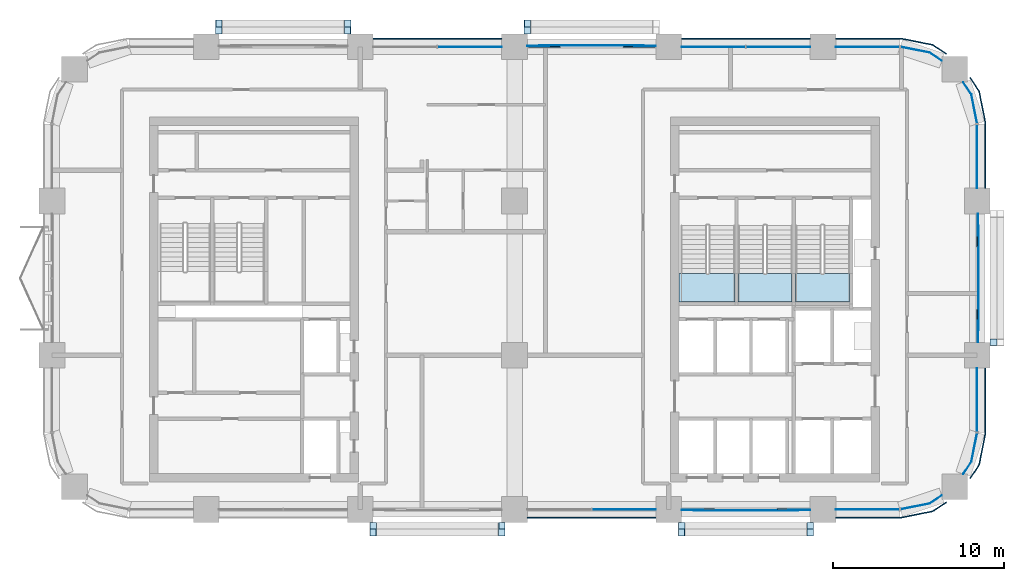
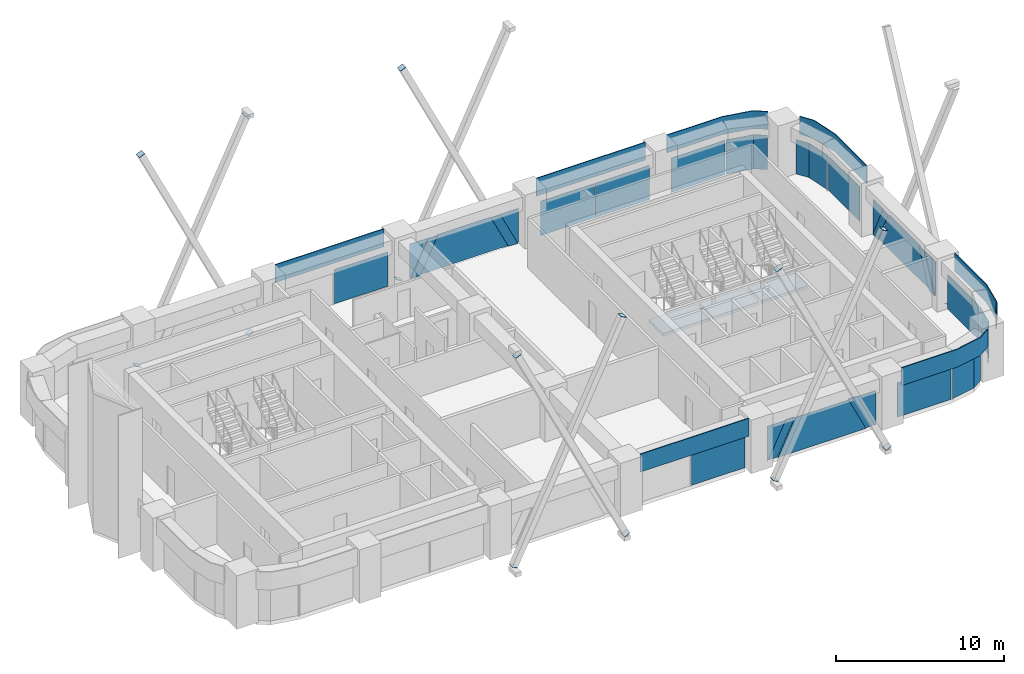
# One storey, part 7 of 13: 49 plates, 3 slabs, 13 elements without a shape of their own.
"""IFC4 building model written with IfcOpenShell, lengths in metres."""

from ifc_helpers import new_model, si_unit, direction, frame, origin, origin_2d, place, context, subcontext, project, spatial, polyline, rectangle, outline, extrude, material, layer, layer_set, type_object, element, aggregate, save


model = new_model("IFC4")

# Units and contexts
model_context = context("Model", 3, precision=1e-05, world=origin(), true_north=direction((0.0, 1.0)))
body_context = subcontext(model_context, "Body", "Model", "MODEL_VIEW")
ifc_project = project(units=[si_unit("LENGTHUNIT", "METRE"), si_unit("AREAUNIT", "SQUARE_METRE"), si_unit("VOLUMEUNIT", "CUBIC_METRE"), si_unit("PLANEANGLEUNIT", "RADIAN"), si_unit("MASSUNIT", "GRAM", prefix="KILO")], contexts=[model_context])

# Site, building, storey
site_placement = place(None, origin())
site = spatial("IfcSite", under=ifc_project, at=site_placement, CompositionType="ELEMENT")
building_placement = place(site_placement, origin())
building = spatial("IfcBuilding", under=site, at=building_placement, Name="Tessera Arch", CompositionType="ELEMENT")
storey_placement = place(building_placement, frame((0.0, 0.0, 166.10009765625)))
storey = spatial("IfcBuildingStorey", under=building, at=storey_placement, Name="L39", CompositionType="ELEMENT", Elevation=166.10009765625)

# Curtain wall, plates
ifc_material_1 = material(Name="CW1 curtain wall")
curtain_wall_type_1 = type_object("IfcCurtainWallType", Name="CW1 curtain wall", PredefinedType="NOTDEFINED", material=ifc_material_1)
curtain_wall_1_placement = place(storey_placement, origin())
curtain_wall_1 = element("IfcCurtainWall", 1, at=curtain_wall_1_placement, inside=storey, type_object=curtain_wall_type_1, Name="CW1 curtain wall N54.0/1 L39", PredefinedType="NOTDEFINED")
ifc_material_2 = material(Name="Clear low-e glass", Category="glass")
ifc_material_3 = material(Name="Clear low-e glass", Category="glass")
ifc_layer_1 = layer(ifc_material_3, 0.028076171875)
ifc_layer_set_1 = layer_set([ifc_layer_1], Name="CW1 glass panel")
plate_type_1 = type_object("IfcPlateType", Name="CW1 glass panel", PredefinedType="CURTAIN_PANEL", material=ifc_layer_set_1)
plate_1_placement = place(storey_placement, frame((42.389892578125, 54.0, 0.0), z_axis=(0.0, 0.0, 1.0), x_axis=(-1.0, 0.0, 0.0)))
plate_1 = element("IfcPlate", 2, at=plate_1_placement, type_object=plate_type_1, material=ifc_material_2, Name="CW1 glass panel N54.0/1 1.1.1", PredefinedType="CURTAIN_PANEL", context=body_context, shape_type="SweptSolid", body=[
    extrude(rectangle(XDim=3.719970703125, YDim=0.028076171875, at=origin_2d()), origin(), (0.0, 0.0, 1.0), 2.5),
])
plate_2_placement = place(storey_placement, frame((38.610107421875, 54.0, 0.0), z_axis=(0.0, 0.0, 1.0), x_axis=(-1.0, 0.0, 0.0)))
plate_2 = element("IfcPlate", 3, at=plate_2_placement, type_object=plate_type_1, material=ifc_material_2, Name="CW1 glass panel N54.0/1 1.2.1", PredefinedType="CURTAIN_PANEL", context=body_context, shape_type="SweptSolid", body=[
    extrude(rectangle(XDim=3.719970703125, YDim=0.028076171875, at=origin_2d()), origin(), (0.0, 0.0, 1.0), 2.5),
])

# Curtain wall, plate
curtain_wall_2_placement = place(storey_placement, origin())
curtain_wall_2 = element("IfcCurtainWall", 4, at=curtain_wall_2_placement, inside=storey, type_object=curtain_wall_type_1, Name="CW1 curtain wall N54.0/3 L39", PredefinedType="NOTDEFINED")
plate_3_placement = place(storey_placement, frame((24.389892578125, 54.0, 0.0), z_axis=(0.0, 0.0, 1.0), x_axis=(-1.0, 0.0, 0.0)))
plate_3 = element("IfcPlate", 5, at=plate_3_placement, type_object=plate_type_1, material=ifc_material_2, Name="CW1 glass panel N54.0/3 1.1.1", PredefinedType="CURTAIN_PANEL", context=body_context, shape_type="SweptSolid", body=[
    extrude(rectangle(XDim=3.719970703125, YDim=0.028076171875, at=origin_2d()), origin(), (0.0, 0.0, 1.0), 2.5),
])

curtain_wall_3_placement = place(storey_placement, origin())
curtain_wall_3 = element("IfcCurtainWall", 6, at=curtain_wall_3_placement, inside=storey, type_object=curtain_wall_type_1, Name="CW1 curtain wall S27.0/3 L39", PredefinedType="NOTDEFINED")
plate_4_placement = place(storey_placement, frame((33.389892578125, 27.0, 0.0), z_axis=(0.0, 0.0, 1.0), x_axis=(1.0, 0.0, 0.0)))
plate_4 = element("IfcPlate", 7, at=plate_4_placement, type_object=plate_type_1, material=ifc_material_2, Name="CW1 glass panel S27.0/3 1.2.1", PredefinedType="CURTAIN_PANEL", context=body_context, shape_type="SweptSolid", body=[
    extrude(rectangle(XDim=3.719970703125, YDim=0.028076171875, at=origin_2d()), origin(), (0.0, 0.0, 1.0), 2.5),
])

# Plate
ifc_material_4 = material(Name="Pale anodised aluminium panel", Category="aluminium")
ifc_layer_2 = layer(ifc_material_4, 0.06005859375)
ifc_layer_set_2 = layer_set([ifc_layer_2], Name="CW1 spandrel panel")
plate_type_2 = type_object("IfcPlateType", Name="CW1 spandrel panel", PredefinedType="CURTAIN_PANEL", material=ifc_layer_set_2)
plate_5_placement = place(storey_placement, frame((40.5, 54.47998046875, 2.60009765625), z_axis=(0.0, 0.0, 1.0), x_axis=(-1.0, 0.0, 0.0)))
plate_5 = element("IfcPlate", 8, at=plate_5_placement, type_object=plate_type_2, Name="CW1 spandrel panel N54.0/1", PredefinedType="CURTAIN_PANEL", context=body_context, shape_type="SweptSolid", body=[
    extrude(rectangle(XDim=7.5, YDim=0.06005859375, at=origin_2d()), origin(), (0.0, 0.0, 1.0), 1.300048828125),
])

aggregate(curtain_wall_1, [plate_1, plate_2, plate_5])

plate_6_placement = place(storey_placement, frame((22.5, 54.47998046875, 2.60009765625), z_axis=(0.0, 0.0, 1.0), x_axis=(-1.0, 0.0, 0.0)))
plate_6 = element("IfcPlate", 9, at=plate_6_placement, type_object=plate_type_2, Name="CW1 spandrel panel N54.0/3", PredefinedType="CURTAIN_PANEL", context=body_context, shape_type="SweptSolid", body=[
    extrude(rectangle(XDim=7.5, YDim=0.06005859375, at=origin_2d()), origin(), (0.0, 0.0, 1.0), 1.300048828125),
])

aggregate(curtain_wall_2, [plate_3, plate_6])

plate_7_placement = place(storey_placement, frame((31.5, 26.52001953125, 2.60009765625), z_axis=(0.0, 0.0, 1.0), x_axis=(1.0, 0.0, 0.0)))
plate_7 = element("IfcPlate", 10, at=plate_7_placement, type_object=plate_type_2, Name="CW1 spandrel panel S27.0/3", PredefinedType="CURTAIN_PANEL", context=body_context, shape_type="SweptSolid", body=[
    extrude(rectangle(XDim=7.5, YDim=0.06005859375, at=origin_2d()), origin(), (0.0, 0.0, 1.0), 1.300048828125),
])

aggregate(curtain_wall_3, [plate_4, plate_7])

# Curtain wall, plates
ifc_material_5 = material(Name="CW2 curtain wall")
curtain_wall_type_2 = type_object("IfcCurtainWallType", Name="CW2 curtain wall", PredefinedType="NOTDEFINED", material=ifc_material_5)
curtain_wall_4_placement = place(storey_placement, origin())
curtain_wall_4 = element("IfcCurtainWall", 11, at=curtain_wall_4_placement, inside=storey, type_object=curtain_wall_type_2, Name="CW2 curtain wall E54.27/1 L39", PredefinedType="NOTDEFINED")
ifc_material_6 = material(Name="Clear low-e glass", Category="glass")
ifc_layer_3 = layer(ifc_material_6, 0.028076171875)
ifc_layer_set_3 = layer_set([ifc_layer_3], Name="CW2 glass panel")
plate_type_3 = type_object("IfcPlateType", Name="CW2 glass panel", PredefinedType="CURTAIN_PANEL", material=ifc_layer_set_3)
plate_8_placement = place(storey_placement, frame((54.0, 47.60498046875, 0.0), z_axis=(0.0, 0.0, 1.0), x_axis=(0.0, 1.0, 0.0)))
plate_8 = element("IfcPlate", 12, at=plate_8_placement, type_object=plate_type_3, material=ifc_material_2, Name="CW2 glass panel E54.27/1 1.1", PredefinedType="CURTAIN_PANEL", context=body_context, shape_type="SweptSolid", body=[
    extrude(rectangle(XDim=3.7099609375, YDim=0.028076171875, at=origin_2d()), origin(), (0.0, 0.0, 1.0), 2.5),
])
plate_9_placement = place(storey_placement, origin())
plate_9 = element("IfcPlate", 13, at=plate_9_placement, type_object=plate_type_3, material=ifc_material_2, Name="CW2 curved glass panel E54.27/1 2.1", PredefinedType="CURTAIN_PANEL", context=body_context, shape_type="SweptSolid", body=[
    extrude(outline(polyline([(53.644287109375, 51.216552734375), (53.978515625, 49.53662109375), (54.005859375, 49.5419921875), (53.670654296875, 51.2275390625), (53.19482421875, 51.939697265625), (53.17138671875, 51.92431640625), (53.644287109375, 51.216552734375)])), origin(), (0.0, 0.0, 1.0), 2.5),
])

curtain_wall_5_placement = place(storey_placement, origin())
curtain_wall_5 = element("IfcCurtainWall", 14, at=curtain_wall_5_placement, inside=storey, type_object=curtain_wall_type_2, Name="CW2 curtain wall N54.0/0 L39", PredefinedType="NOTDEFINED")
plate_10_placement = place(storey_placement, frame((47.60498046875, 54.0, 0.0), z_axis=(0.0, 0.0, 1.0), x_axis=(-1.0, 0.0, 0.0)))
plate_10 = element("IfcPlate", 15, at=plate_10_placement, type_object=plate_type_3, material=ifc_material_2, Name="CW2 glass panel N54.0/0 1.1", PredefinedType="CURTAIN_PANEL", context=body_context, shape_type="SweptSolid", body=[
    extrude(rectangle(XDim=3.7099609375, YDim=0.028076171875, at=origin_2d()), origin(), (0.0, 0.0, 1.0), 2.5),
])
plate_11_placement = place(storey_placement, origin())
plate_11 = element("IfcPlate", 16, at=plate_11_placement, type_object=plate_type_3, material=ifc_material_2, Name="CW2 curved glass panel N54.0/0 2.1", PredefinedType="CURTAIN_PANEL", context=body_context, shape_type="SweptSolid", body=[
    extrude(outline(polyline([(51.216552734375, 53.644287109375), (51.92431640625, 53.17138671875), (51.939697265625, 53.19482421875), (51.2275390625, 53.670654296875), (49.5419921875, 54.005859375), (49.53662109375, 53.978515625), (51.216552734375, 53.644287109375)])), origin(), (0.0, 0.0, 1.0), 2.5),
])

curtain_wall_6_placement = place(storey_placement, origin())
curtain_wall_6 = element("IfcCurtainWall", 17, at=curtain_wall_6_placement, inside=storey, type_object=curtain_wall_type_2, Name="CW2 curtain wall S27.0/5 L39", PredefinedType="NOTDEFINED")
plate_12_placement = place(storey_placement, frame((47.60498046875, 27.0, 0.0), z_axis=(0.0, 0.0, 1.0), x_axis=(1.0, 0.0, 0.0)))
plate_12 = element("IfcPlate", 18, at=plate_12_placement, type_object=plate_type_3, material=ifc_material_2, Name="CW2 glass panel S27.0/5 1.1", PredefinedType="CURTAIN_PANEL", context=body_context, shape_type="SweptSolid", body=[
    extrude(rectangle(XDim=3.7099609375, YDim=0.028076171875, at=origin_2d()), origin(), (0.0, 0.0, 1.0), 2.5),
])
plate_13_placement = place(storey_placement, origin())
plate_13 = element("IfcPlate", 19, at=plate_13_placement, type_object=plate_type_3, material=ifc_material_2, Name="CW2 curved glass panel S27.0/5 2.1", PredefinedType="CURTAIN_PANEL", context=body_context, shape_type="SweptSolid", body=[
    extrude(outline(polyline([(51.216552734375, 27.355712890625), (49.53662109375, 27.021484375), (49.5419921875, 26.994140625), (51.2275390625, 27.329345703125), (51.939697265625, 27.80517578125), (51.92431640625, 27.82861328125), (51.216552734375, 27.355712890625)])), origin(), (0.0, 0.0, 1.0), 2.5),
])

curtain_wall_7_placement = place(storey_placement, origin())
curtain_wall_7 = element("IfcCurtainWall", 20, at=curtain_wall_7_placement, inside=storey, type_object=curtain_wall_type_2, Name="CW2 curtain wall E54.27/2 L39", PredefinedType="NOTDEFINED")
plate_14_placement = place(storey_placement, frame((54.0, 33.39501953125, 0.0), z_axis=(0.0, 0.0, 1.0), x_axis=(0.0, 1.0, 0.0)))
plate_14 = element("IfcPlate", 21, at=plate_14_placement, type_object=plate_type_3, material=ifc_material_2, Name="CW2 glass panel E54.27/2 1.1", PredefinedType="CURTAIN_PANEL", context=body_context, shape_type="SweptSolid", body=[
    extrude(rectangle(XDim=3.7099609375, YDim=0.028076171875, at=origin_2d()), origin(), (0.0, 0.0, 1.0), 2.5),
])
plate_15_placement = place(storey_placement, origin())
plate_15 = element("IfcPlate", 22, at=plate_15_placement, type_object=plate_type_3, material=ifc_material_2, Name="CW2 curved glass panel E54.27/2 2.1", PredefinedType="CURTAIN_PANEL", context=body_context, shape_type="SweptSolid", body=[
    extrude(outline(polyline([(53.644287109375, 29.783447265625), (53.17138671875, 29.07568359375), (53.19482421875, 29.060302734375), (53.670654296875, 29.7724609375), (54.005859375, 31.4580078125), (53.978515625, 31.46337890625), (53.644287109375, 29.783447265625)])), origin(), (0.0, 0.0, 1.0), 2.5),
])

# Plate
ifc_material_7 = material(Name="Pale anodised aluminium panel", Category="aluminium")
ifc_layer_4 = layer(ifc_material_7, 0.06005859375)
ifc_layer_set_4 = layer_set([ifc_layer_4], Name="CW2 spandrel panel")
plate_type_4 = type_object("IfcPlateType", Name="CW2 spandrel panel", PredefinedType="CURTAIN_PANEL", material=ifc_layer_set_4)
plate_16_placement = place(storey_placement, frame((0.0, 0.0, 2.599853515625)))
plate_16 = element("IfcPlate", 23, at=plate_16_placement, type_object=plate_type_4, Name="CW2 spandrel panel E54.27/1", PredefinedType="CURTAIN_PANEL", context=body_context, shape_type="SweptSolid", body=[
    extrude(outline(polyline([(54.449951171875, 49.499267578125), (54.449951171875, 45.75), (54.510009765625, 45.75), (54.510009765625, 49.500732421875), (54.507568359375, 49.550048828125), (54.500244140625, 49.598876953125), (54.157470703125, 51.322265625), (54.1455078125, 51.3701171875), (54.128662109375, 51.417236328125), (54.107421875, 51.462646484375), (54.08203125, 51.5048828125), (53.607177734375, 52.21533203125), (53.55712890625, 52.18212890625), (54.03125, 51.47265625), (54.054443359375, 51.434326171875), (54.0732421875, 51.394287109375), (54.088134765625, 51.352783203125), (54.09912109375, 51.30908203125), (54.441162109375, 49.588623046875), (54.44775390625, 49.544189453125), (54.449951171875, 49.499267578125)])), origin(), (0.0, 0.0, 1.0), 1.300048828125),
])

aggregate(curtain_wall_4, [plate_8, plate_9, plate_16])

plate_17_placement = place(storey_placement, frame((0.0, 0.0, 2.599853515625)))
plate_17 = element("IfcPlate", 24, at=plate_17_placement, type_object=plate_type_4, Name="CW2 spandrel panel N54.0/0", PredefinedType="CURTAIN_PANEL", context=body_context, shape_type="SweptSolid", body=[
    extrude(outline(polyline([(51.47265625, 54.03125), (52.18212890625, 53.55712890625), (52.21533203125, 53.607177734375), (51.5048828125, 54.08203125), (51.462646484375, 54.107421875), (51.417236328125, 54.128662109375), (51.3701171875, 54.1455078125), (51.322265625, 54.157470703125), (49.598876953125, 54.500244140625), (49.550048828125, 54.507568359375), (49.500732421875, 54.510009765625), (45.75, 54.510009765625), (45.75, 54.449951171875), (49.499267578125, 54.449951171875), (49.544189453125, 54.44775390625), (49.588623046875, 54.441162109375), (51.30908203125, 54.09912109375), (51.352783203125, 54.088134765625), (51.394287109375, 54.0732421875), (51.434326171875, 54.054443359375), (51.47265625, 54.03125)])), origin(), (0.0, 0.0, 1.0), 1.300048828125),
])

aggregate(curtain_wall_5, [plate_10, plate_11, plate_17])

plate_18_placement = place(storey_placement, frame((0.0, 0.0, 2.599853515625)))
plate_18 = element("IfcPlate", 25, at=plate_18_placement, type_object=plate_type_4, Name="CW2 spandrel panel S27.0/5", PredefinedType="CURTAIN_PANEL", context=body_context, shape_type="SweptSolid", body=[
    extrude(outline(polyline([(49.499267578125, 26.550048828125), (45.75, 26.550048828125), (45.75, 26.489990234375), (49.500732421875, 26.489990234375), (49.550048828125, 26.492431640625), (49.598876953125, 26.499755859375), (51.322265625, 26.842529296875), (51.3701171875, 26.8544921875), (51.417236328125, 26.871337890625), (51.462646484375, 26.892578125), (51.5048828125, 26.91796875), (52.21533203125, 27.392822265625), (52.18212890625, 27.44287109375), (51.47265625, 26.96875), (51.434326171875, 26.945556640625), (51.394287109375, 26.9267578125), (51.352783203125, 26.911865234375), (51.30908203125, 26.90087890625), (49.588623046875, 26.558837890625), (49.544189453125, 26.55224609375), (49.499267578125, 26.550048828125)])), origin(), (0.0, 0.0, 1.0), 1.300048828125),
])

aggregate(curtain_wall_6, [plate_12, plate_13, plate_18])

plate_19_placement = place(storey_placement, frame((0.0, 0.0, 2.599853515625)))
plate_19 = element("IfcPlate", 26, at=plate_19_placement, type_object=plate_type_4, Name="CW2 spandrel panel E54.27/2", PredefinedType="CURTAIN_PANEL", context=body_context, shape_type="SweptSolid", body=[
    extrude(outline(polyline([(54.03125, 29.52734375), (53.55712890625, 28.81787109375), (53.607177734375, 28.78466796875), (54.08203125, 29.4951171875), (54.107421875, 29.537353515625), (54.128662109375, 29.582763671875), (54.1455078125, 29.6298828125), (54.157470703125, 29.677734375), (54.500244140625, 31.401123046875), (54.507568359375, 31.449951171875), (54.510009765625, 31.499267578125), (54.510009765625, 35.25), (54.449951171875, 35.25), (54.449951171875, 31.500732421875), (54.44775390625, 31.455810546875), (54.441162109375, 31.411376953125), (54.09912109375, 29.69091796875), (54.088134765625, 29.647216796875), (54.0732421875, 29.605712890625), (54.054443359375, 29.565673828125), (54.03125, 29.52734375)])), origin(), (0.0, 0.0, 1.0), 1.300048828125),
])

aggregate(curtain_wall_7, [plate_14, plate_15, plate_19])

# Curtain wall, plates
ifc_material_8 = material(Name="CW3 curtain wall")
curtain_wall_type_3 = type_object("IfcCurtainWallType", Name="CW3 curtain wall", PredefinedType="NOTDEFINED", material=ifc_material_8)
curtain_wall_8_placement = place(storey_placement, origin())
curtain_wall_8 = element("IfcCurtainWall", 27, at=curtain_wall_8_placement, inside=storey, type_object=curtain_wall_type_3, Name="CW3 curtain wall E54.27/0 L39", PredefinedType="NOTDEFINED")
ifc_material_9 = material(Name="Pale anodised aluminium panel", Category="aluminium")
ifc_layer_5 = layer(ifc_material_9, 0.06005859375)
ifc_layer_set_5 = layer_set([ifc_layer_5], Name="CW3 diagonal panel")
plate_type_5 = type_object("IfcPlateType", Name="CW3 diagonal panel", PredefinedType="CURTAIN_PANEL", material=ifc_layer_set_5)
plate_20_placement = place(storey_placement, frame((54.030029296875, 42.983642578125, 2.5), z_axis=(1.0, 0.0, 0.0), x_axis=(0.0, -1.0, 0.0)))
plate_20 = element("IfcPlate", 28, at=plate_20_placement, type_object=plate_type_5, Name="CW3 diagonal panel E54.27/0 1", PredefinedType="CURTAIN_PANEL", context=body_context, shape_type="SweptSolid", body=[
    extrude(outline(polyline([(0.0, 0.0), (0.640380859375, 0.0), (-0.5615234375, 2.5), (-1.201904296875, 2.5), (0.0, 0.0)])), origin(), (0.0, 0.0, -1.0), 0.06005859375),
])
plate_21_placement = place(storey_placement, frame((54.030029296875, 38.65673828125, 2.5), z_axis=(1.0, 0.0, 0.0), x_axis=(0.0, -1.0, 0.0)))
plate_21 = element("IfcPlate", 29, at=plate_21_placement, type_object=plate_type_5, Name="CW3 diagonal panel E54.27/0 2", PredefinedType="CURTAIN_PANEL", context=body_context, shape_type="SweptSolid", body=[
    extrude(outline(polyline([(0.0, 0.0), (0.640380859375, 0.0), (1.84228515625, 2.5), (1.201904296875, 2.5), (0.0, 0.0)])), origin(), (0.0, 0.0, -1.0), 0.06005859375),
])

curtain_wall_9_placement = place(storey_placement, origin())
curtain_wall_9 = element("IfcCurtainWall", 30, at=curtain_wall_9_placement, inside=storey, type_object=curtain_wall_type_3, Name="CW3 curtain wall N54.0/2 L39", PredefinedType="NOTDEFINED")
plate_22_placement = place(storey_placement, frame((29.016357421875, 54.030029296875, 2.5), z_axis=(0.0, 1.0, 0.0), x_axis=(1.0, 0.0, 0.0)))
plate_22 = element("IfcPlate", 31, at=plate_22_placement, type_object=plate_type_5, Name="CW3 diagonal panel N54.0/2 1", PredefinedType="CURTAIN_PANEL", context=body_context, shape_type="SweptSolid", body=[
    extrude(outline(polyline([(0.0, 0.0), (0.640380859375, 0.0), (-0.5615234375, 2.5), (-1.201904296875, 2.5), (0.0, 0.0)])), origin(), (0.0, 0.0, -1.0), 0.06005859375),
])
plate_23_placement = place(storey_placement, frame((33.34326171875, 54.030029296875, 2.5), z_axis=(0.0, 1.0, 0.0), x_axis=(1.0, 0.0, 0.0)))
plate_23 = element("IfcPlate", 32, at=plate_23_placement, type_object=plate_type_5, Name="CW3 diagonal panel N54.0/2 2", PredefinedType="CURTAIN_PANEL", context=body_context, shape_type="SweptSolid", body=[
    extrude(outline(polyline([(0.0, 0.0), (0.640380859375, 0.0), (1.84228515625, 2.5), (1.201904296875, 2.5), (0.0, 0.0)])), origin(), (0.0, 0.0, -1.0), 0.06005859375),
])

curtain_wall_10_placement = place(storey_placement, origin())
curtain_wall_10 = element("IfcCurtainWall", 33, at=curtain_wall_10_placement, inside=storey, type_object=curtain_wall_type_3, Name="CW3 curtain wall S27.0/4 L39", PredefinedType="NOTDEFINED")
plate_24_placement = place(storey_placement, frame((42.983642578125, 26.969970703125, 2.5), z_axis=(0.0, -1.0, 0.0), x_axis=(-1.0, 0.0, 0.0)))
plate_24 = element("IfcPlate", 34, at=plate_24_placement, type_object=plate_type_5, Name="CW3 diagonal panel S27.0/4 1", PredefinedType="CURTAIN_PANEL", context=body_context, shape_type="SweptSolid", body=[
    extrude(outline(polyline([(0.0, 0.0), (0.640380859375, 0.0), (-0.5615234375, 2.5), (-1.201904296875, 2.5), (0.0, 0.0)])), origin(), (0.0, 0.0, -1.0), 0.06005859375),
])
plate_25_placement = place(storey_placement, frame((38.65673828125, 26.969970703125, 2.5), z_axis=(0.0, -1.0, 0.0), x_axis=(-1.0, 0.0, 0.0)))
plate_25 = element("IfcPlate", 35, at=plate_25_placement, type_object=plate_type_5, Name="CW3 diagonal panel S27.0/4 2", PredefinedType="CURTAIN_PANEL", context=body_context, shape_type="SweptSolid", body=[
    extrude(outline(polyline([(0.0, 0.0), (0.640380859375, 0.0), (1.84228515625, 2.5), (1.201904296875, 2.5), (0.0, 0.0)])), origin(), (0.0, 0.0, -1.0), 0.06005859375),
])

# Plate
ifc_material_10 = material(Name="Clear low-e glass", Category="glass")
ifc_layer_6 = layer(ifc_material_10, 0.028076171875)
ifc_layer_set_6 = layer_set([ifc_layer_6], Name="CW3 glass panel")
plate_type_6 = type_object("IfcPlateType", Name="CW3 glass panel", PredefinedType="CURTAIN_PANEL", material=ifc_layer_set_6)
plate_26_placement = place(storey_placement, frame((54.05810546875, 36.75, 0.0), z_axis=(1.0, 0.0, 0.0), x_axis=(0.0, 1.0, 0.0)))
plate_26 = element("IfcPlate", 36, at=plate_26_placement, type_object=plate_type_6, material=ifc_material_2, Name="CW3 triangulated glass panel E54.27/0 1", PredefinedType="CURTAIN_PANEL", context=body_context, shape_type="SweptSolid", body=[
    extrude(outline(polyline([(0.0, 0.0), (0.064453125, 0.0), (1.266357421875, 2.5), (0.0, 2.5), (0.0, 0.0)])), origin(), (0.0, 0.0, -1.0), 0.028076171875),
])

plate_27_placement = place(storey_placement, frame((54.0859375, 42.34326171875, 2.5), z_axis=(1.0, 0.0, 0.0), x_axis=(0.0, -1.0, 0.0)))
plate_27 = element("IfcPlate", 37, at=plate_27_placement, type_object=plate_type_6, material=ifc_material_2, Name="CW3 triangulated glass panel E54.27/0 2", PredefinedType="CURTAIN_PANEL", context=body_context, shape_type="SweptSolid", body=[
    extrude(outline(polyline([(0.0, 0.0), (3.6865234375, 0.0), (4.888427734375, 2.5), (-1.201904296875, 2.5), (0.0, 0.0)])), origin(), (0.0, 0.0, -1.0), 0.028076171875),
])

plate_28_placement = place(storey_placement, frame((54.05810546875, 44.25, 2.5), z_axis=(1.0, 0.0, 0.0), x_axis=(0.0, -1.0, 0.0)))
plate_28 = element("IfcPlate", 38, at=plate_28_placement, type_object=plate_type_6, material=ifc_material_2, Name="CW3 triangulated glass panel E54.27/0 3", PredefinedType="CURTAIN_PANEL", context=body_context, shape_type="SweptSolid", body=[
    extrude(outline(polyline([(0.0, 0.0), (1.266357421875, 0.0), (0.064453125, 2.5), (0.0, 2.5), (0.0, 0.0)])), origin(), (0.0, 0.0, -1.0), 0.028076171875),
])

aggregate(curtain_wall_8, [plate_26, plate_27, plate_28, plate_20, plate_21])

plate_29_placement = place(storey_placement, frame((35.25, 54.05810546875, 0.0), z_axis=(0.0, 1.0, 0.0), x_axis=(-1.0, 0.0, 0.0)))
plate_29 = element("IfcPlate", 39, at=plate_29_placement, type_object=plate_type_6, material=ifc_material_2, Name="CW3 triangulated glass panel N54.0/2 1", PredefinedType="CURTAIN_PANEL", context=body_context, shape_type="SweptSolid", body=[
    extrude(outline(polyline([(0.0, 0.0), (0.064453125, 0.0), (1.266357421875, 2.5), (0.0, 2.5), (0.0, 0.0)])), origin(), (0.0, 0.0, -1.0), 0.028076171875),
])

plate_30_placement = place(storey_placement, frame((29.65673828125, 54.0859375, 2.5), z_axis=(0.0, 1.0, 0.0), x_axis=(1.0, 0.0, 0.0)))
plate_30 = element("IfcPlate", 40, at=plate_30_placement, type_object=plate_type_6, material=ifc_material_2, Name="CW3 triangulated glass panel N54.0/2 2", PredefinedType="CURTAIN_PANEL", context=body_context, shape_type="SweptSolid", body=[
    extrude(outline(polyline([(0.0, 0.0), (3.6865234375, 0.0), (4.888427734375, 2.5), (-1.201904296875, 2.5), (0.0, 0.0)])), origin(), (0.0, 0.0, -1.0), 0.028076171875),
])

plate_31_placement = place(storey_placement, frame((27.75, 54.05810546875, 2.5), z_axis=(0.0, 1.0, 0.0), x_axis=(1.0, 0.0, 0.0)))
plate_31 = element("IfcPlate", 41, at=plate_31_placement, type_object=plate_type_6, material=ifc_material_2, Name="CW3 triangulated glass panel N54.0/2 3", PredefinedType="CURTAIN_PANEL", context=body_context, shape_type="SweptSolid", body=[
    extrude(outline(polyline([(0.0, 0.0), (1.266357421875, 0.0), (0.064453125, 2.5), (0.0, 2.5), (0.0, 0.0)])), origin(), (0.0, 0.0, -1.0), 0.028076171875),
])

aggregate(curtain_wall_9, [plate_29, plate_30, plate_31, plate_22, plate_23])

plate_32_placement = place(storey_placement, frame((36.75, 26.94189453125, 0.0), z_axis=(0.0, -1.0, 0.0), x_axis=(1.0, 0.0, 0.0)))
plate_32 = element("IfcPlate", 42, at=plate_32_placement, type_object=plate_type_6, material=ifc_material_2, Name="CW3 triangulated glass panel S27.0/4 1", PredefinedType="CURTAIN_PANEL", context=body_context, shape_type="SweptSolid", body=[
    extrude(outline(polyline([(0.0, 0.0), (0.064453125, 0.0), (1.266357421875, 2.5), (0.0, 2.5), (0.0, 0.0)])), origin(), (0.0, 0.0, -1.0), 0.028076171875),
])

plate_33_placement = place(storey_placement, frame((42.34326171875, 26.9140625, 2.5), z_axis=(0.0, -1.0, 0.0), x_axis=(-1.0, 0.0, 0.0)))
plate_33 = element("IfcPlate", 43, at=plate_33_placement, type_object=plate_type_6, material=ifc_material_2, Name="CW3 triangulated glass panel S27.0/4 2", PredefinedType="CURTAIN_PANEL", context=body_context, shape_type="SweptSolid", body=[
    extrude(outline(polyline([(0.0, 0.0), (3.6865234375, 0.0), (4.888427734375, 2.5), (-1.201904296875, 2.5), (0.0, 0.0)])), origin(), (0.0, 0.0, -1.0), 0.028076171875),
])

plate_34_placement = place(storey_placement, frame((44.25, 26.94189453125, 2.5), z_axis=(0.0, -1.0, 0.0), x_axis=(-1.0, 0.0, 0.0)))
plate_34 = element("IfcPlate", 44, at=plate_34_placement, type_object=plate_type_6, material=ifc_material_2, Name="CW3 triangulated glass panel S27.0/4 3", PredefinedType="CURTAIN_PANEL", context=body_context, shape_type="SweptSolid", body=[
    extrude(outline(polyline([(0.0, 0.0), (1.266357421875, 0.0), (0.064453125, 2.5), (0.0, 2.5), (0.0, 0.0)])), origin(), (0.0, 0.0, -1.0), 0.028076171875),
])

aggregate(curtain_wall_10, [plate_32, plate_33, plate_34, plate_24, plate_25])

# Plates
ifc_material_11 = material(Name="Steel A572 Gr50", Category="steel")
ifc_layer_7 = layer(ifc_material_11, 0.02490234375)
ifc_layer_set_7 = layer_set([ifc_layer_7], Name="End plate HSS16x16x5/8")
plate_type_7 = type_object("IfcPlateType", Name="End plate HSS16x16x5/8", PredefinedType="SHEET", material=ifc_layer_set_7)
plate_35_placement = place(storey_placement, frame((54.953125, 36.7392578125, -0.822509765625), z_axis=(0.0, 0.431455497304, 0.902134221636), x_axis=(-1.0, 0.0, 0.0)))
element("IfcPlate", 45, at=plate_35_placement, inside=storey, type_object=plate_type_7, Name="End plate HSS16x16x5/8 E54.27-0 A1 L39", PredefinedType="SHEET", context=body_context, shape_type="SweptSolid", body=[
    extrude(rectangle(XDim=0.406494140625, YDim=0.406494140625, at=origin_2d()), origin(), (0.0, 0.0, 1.0), 0.02490234375),
])
plate_36_placement = place(storey_placement, frame((27.75, 54.953125, 14.7998046875), z_axis=(-0.427668482188, 0.0, 0.903935655533), x_axis=(0.0, -1.0, 0.0)))
element("IfcPlate", 46, at=plate_36_placement, inside=storey, type_object=plate_type_7, Name="End plate HSS16x16x5/8 N54.0-2 A2 L39", PredefinedType="SHEET", context=body_context, shape_type="SweptSolid", body=[
    extrude(rectangle(XDim=0.406494140625, YDim=0.406494140625, at=origin_2d()), origin(), (0.0, 0.0, 1.0), 0.025146484375),
])
for number, where, z_axis, x_axis, name in (
    (47, (27.7392578125, 55.359619140625, -0.822509765625), (0.431455497304, 0.0, 0.902134221636), (0.0, 1.0, 0.0), "End plate HSS16x16x5/8 N54.0-2 B1 L39"),
    (48, (17.2607421875, 54.953125, -0.822509765625), (-0.431455497304, 0.0, 0.902134221636), (0.0, -1.0, 0.0), "End plate HSS16x16x5/8 N54.0-4 A1 L39"),
):
    element("IfcPlate", number, at=place(storey_placement, frame(where, z_axis=z_axis, x_axis=x_axis)), inside=storey, type_object=plate_type_7, Name=name, PredefinedType="SHEET", context=body_context, shape_type="SweptSolid", body=[
        extrude(rectangle(XDim=0.406494140625, YDim=0.406494140625, at=origin_2d()), origin(), (0.0, 0.0, 1.0), 0.02490234375),
    ])
plate_37_placement = place(storey_placement, frame((9.75, 54.953125, 14.7998046875), z_axis=(-0.427668482188, 0.0, 0.903935655533), x_axis=(0.0, -1.0, 0.0)))
element("IfcPlate", 49, at=plate_37_placement, inside=storey, type_object=plate_type_7, Name="End plate HSS16x16x5/8 N54.0-4 A2 L39", PredefinedType="SHEET", context=body_context, shape_type="SweptSolid", body=[
    extrude(rectangle(XDim=0.406494140625, YDim=0.406494140625, at=origin_2d()), origin(), (0.0, 0.0, 1.0), 0.025146484375),
])
plate_38_placement = place(storey_placement, frame((9.7392578125, 55.359619140625, -0.822509765625), z_axis=(0.431455497304, 0.0, 0.902134221636), x_axis=(0.0, 1.0, 0.0)))
element("IfcPlate", 50, at=plate_38_placement, inside=storey, type_object=plate_type_7, Name="End plate HSS16x16x5/8 N54.0-4 B1 L39", PredefinedType="SHEET", context=body_context, shape_type="SweptSolid", body=[
    extrude(rectangle(XDim=0.406494140625, YDim=0.406494140625, at=origin_2d()), origin(), (0.0, 0.0, 1.0), 0.02490234375),
])
plate_39_placement = place(storey_placement, frame((17.25, 55.359619140625, 14.7998046875), z_axis=(0.427668482188, 0.0, 0.903935655533), x_axis=(0.0, 1.0, 0.0)))
element("IfcPlate", 51, at=plate_39_placement, inside=storey, type_object=plate_type_7, Name="End plate HSS16x16x5/8 N54.0-4 B2 L39", PredefinedType="SHEET", context=body_context, shape_type="SweptSolid", body=[
    extrude(rectangle(XDim=0.406494140625, YDim=0.406494140625, at=origin_2d()), origin(), (0.0, 0.0, 1.0), 0.025146484375),
])
plate_40_placement = place(storey_placement, frame((18.7392578125, 26.046875, -0.822509765625), z_axis=(0.431455497304, 0.0, 0.902134221636), x_axis=(0.0, 1.0, 0.0)))
element("IfcPlate", 52, at=plate_40_placement, inside=storey, type_object=plate_type_7, Name="End plate HSS16x16x5/8 S27.0-2 A1 L39", PredefinedType="SHEET", context=body_context, shape_type="SweptSolid", body=[
    extrude(rectangle(XDim=0.406494140625, YDim=0.406494140625, at=origin_2d()), origin(), (0.0, 0.0, 1.0), 0.02490234375),
])
plate_41_placement = place(storey_placement, frame((26.25, 26.046875, 14.7998046875), z_axis=(0.427668482188, 0.0, 0.903935655533), x_axis=(0.0, 1.0, 0.0)))
element("IfcPlate", 53, at=plate_41_placement, inside=storey, type_object=plate_type_7, Name="End plate HSS16x16x5/8 S27.0-2 A2 L39", PredefinedType="SHEET", context=body_context, shape_type="SweptSolid", body=[
    extrude(rectangle(XDim=0.406494140625, YDim=0.406494140625, at=origin_2d()), origin(), (0.0, 0.0, 1.0), 0.025146484375),
])
plate_42_placement = place(storey_placement, frame((26.2607421875, 25.640380859375, -0.822509765625), z_axis=(-0.431455497304, 0.0, 0.902134221636), x_axis=(0.0, -1.0, 0.0)))
element("IfcPlate", 54, at=plate_42_placement, inside=storey, type_object=plate_type_7, Name="End plate HSS16x16x5/8 S27.0-2 B1 L39", PredefinedType="SHEET", context=body_context, shape_type="SweptSolid", body=[
    extrude(rectangle(XDim=0.406494140625, YDim=0.406494140625, at=origin_2d()), origin(), (0.0, 0.0, 1.0), 0.02490234375),
])
plate_43_placement = place(storey_placement, frame((18.75, 25.640380859375, 14.7998046875), z_axis=(-0.427668482188, 0.0, 0.903935655533), x_axis=(0.0, -1.0, 0.0)))
element("IfcPlate", 55, at=plate_43_placement, inside=storey, type_object=plate_type_7, Name="End plate HSS16x16x5/8 S27.0-2 B2 L39", PredefinedType="SHEET", context=body_context, shape_type="SweptSolid", body=[
    extrude(rectangle(XDim=0.406494140625, YDim=0.406494140625, at=origin_2d()), origin(), (0.0, 0.0, 1.0), 0.025146484375),
])
plate_44_placement = place(storey_placement, frame((36.7392578125, 26.046875, -0.822509765625), z_axis=(0.431455497304, 0.0, 0.902134221636), x_axis=(0.0, 1.0, 0.0)))
element("IfcPlate", 56, at=plate_44_placement, inside=storey, type_object=plate_type_7, Name="End plate HSS16x16x5/8 S27.0-4 A1 L39", PredefinedType="SHEET", context=body_context, shape_type="SweptSolid", body=[
    extrude(rectangle(XDim=0.406494140625, YDim=0.406494140625, at=origin_2d()), origin(), (0.0, 0.0, 1.0), 0.02490234375),
])
plate_45_placement = place(storey_placement, frame((44.25, 26.046875, 14.7998046875), z_axis=(0.427668482188, 0.0, 0.903935655533), x_axis=(0.0, 1.0, 0.0)))
element("IfcPlate", 57, at=plate_45_placement, inside=storey, type_object=plate_type_7, Name="End plate HSS16x16x5/8 S27.0-4 A2 L39", PredefinedType="SHEET", context=body_context, shape_type="SweptSolid", body=[
    extrude(rectangle(XDim=0.406494140625, YDim=0.406494140625, at=origin_2d()), origin(), (0.0, 0.0, 1.0), 0.025146484375),
])
plate_46_placement = place(storey_placement, frame((44.2607421875, 25.640380859375, -0.822509765625), z_axis=(-0.431455497304, 0.0, 0.902134221636), x_axis=(0.0, -1.0, 0.0)))
element("IfcPlate", 58, at=plate_46_placement, inside=storey, type_object=plate_type_7, Name="End plate HSS16x16x5/8 S27.0-4 B1 L39", PredefinedType="SHEET", context=body_context, shape_type="SweptSolid", body=[
    extrude(rectangle(XDim=0.406494140625, YDim=0.406494140625, at=origin_2d()), origin(), (0.0, 0.0, 1.0), 0.02490234375),
])
plate_47_placement = place(storey_placement, frame((36.75, 25.640380859375, 14.7998046875), z_axis=(-0.427668482188, 0.0, 0.903935655533), x_axis=(0.0, -1.0, 0.0)))
element("IfcPlate", 59, at=plate_47_placement, inside=storey, type_object=plate_type_7, Name="End plate HSS16x16x5/8 S27.0-4 B2 L39", PredefinedType="SHEET", context=body_context, shape_type="SweptSolid", body=[
    extrude(rectangle(XDim=0.406494140625, YDim=0.406494140625, at=origin_2d()), origin(), (0.0, 0.0, 1.0), 0.025146484375),
])

# Stair, slab
ifc_material_12 = material(Name="Concrete C40/50", Category="concrete")
stair_type = type_object("IfcStairType", Name="Dogleg stair 1520", PredefinedType="HALF_TURN_STAIR", material=ifc_material_12)
stair_1_placement = place(storey_placement, origin())
stair_1 = element("IfcStair", 60, at=stair_1_placement, inside=storey, type_object=stair_type, Name="L39 S1a", PredefinedType="HALF_TURN_STAIR")
ifc_material_13 = material(Name="Concrete C40/50", Category="concrete")
ifc_layer_8 = layer(ifc_material_13, 0.300048828125)
ifc_layer_set_8 = layer_set([ifc_layer_8], Name="Stair landing 300")
slab_type = type_object("IfcSlabType", Name="Stair landing 300", PredefinedType="LANDING", material=ifc_layer_set_8)
slab_1_placement = place(storey_placement, frame((0.0, 0.0, 1.75)))
slab_1 = element("IfcSlab", 61, at=slab_1_placement, type_object=slab_type, Name="S1a landing 1", PredefinedType="LANDING", context=body_context, shape_type="SweptSolid", body=[
    extrude(outline(polyline([(36.60009765625, 40.780029296875), (36.60009765625, 39.10009765625), (39.85009765625, 39.10009765625), (39.85009765625, 40.780029296875), (36.60009765625, 40.780029296875)])), origin(), (0.0, 0.0, 1.0), 0.199951171875),
])
aggregate(stair_1, [slab_1])

stair_2_placement = place(storey_placement, origin())
stair_2 = element("IfcStair", 62, at=stair_2_placement, inside=storey, type_object=stair_type, Name="L39 S1b", PredefinedType="HALF_TURN_STAIR")
slab_2_placement = place(storey_placement, frame((0.0, 0.0, 1.75)))
slab_2 = element("IfcSlab", 63, at=slab_2_placement, type_object=slab_type, Name="S1b landing 1", PredefinedType="LANDING", context=body_context, shape_type="SweptSolid", body=[
    extrude(outline(polyline([(40.050048828125, 40.780029296875), (40.050048828125, 39.10009765625), (43.199951171875, 39.10009765625), (43.199951171875, 40.780029296875), (40.050048828125, 40.780029296875)])), origin(), (0.0, 0.0, 1.0), 0.199951171875),
])
aggregate(stair_2, [slab_2])

stair_3_placement = place(storey_placement, origin())
stair_3 = element("IfcStair", 64, at=stair_3_placement, inside=storey, type_object=stair_type, Name="L39 S1c", PredefinedType="HALF_TURN_STAIR")
slab_3_placement = place(storey_placement, frame((0.0, 0.0, 1.75)))
slab_3 = element("IfcSlab", 65, at=slab_3_placement, type_object=slab_type, Name="S1c landing 1", PredefinedType="LANDING", context=body_context, shape_type="SweptSolid", body=[
    extrude(outline(polyline([(43.39990234375, 40.780029296875), (43.39990234375, 39.10009765625), (46.550048828125, 39.10009765625), (46.550048828125, 40.780029296875), (43.39990234375, 40.780029296875)])), origin(), (0.0, 0.0, 1.0), 0.199951171875),
])
aggregate(stair_3, [slab_3])

save(model, "model.ifc")
